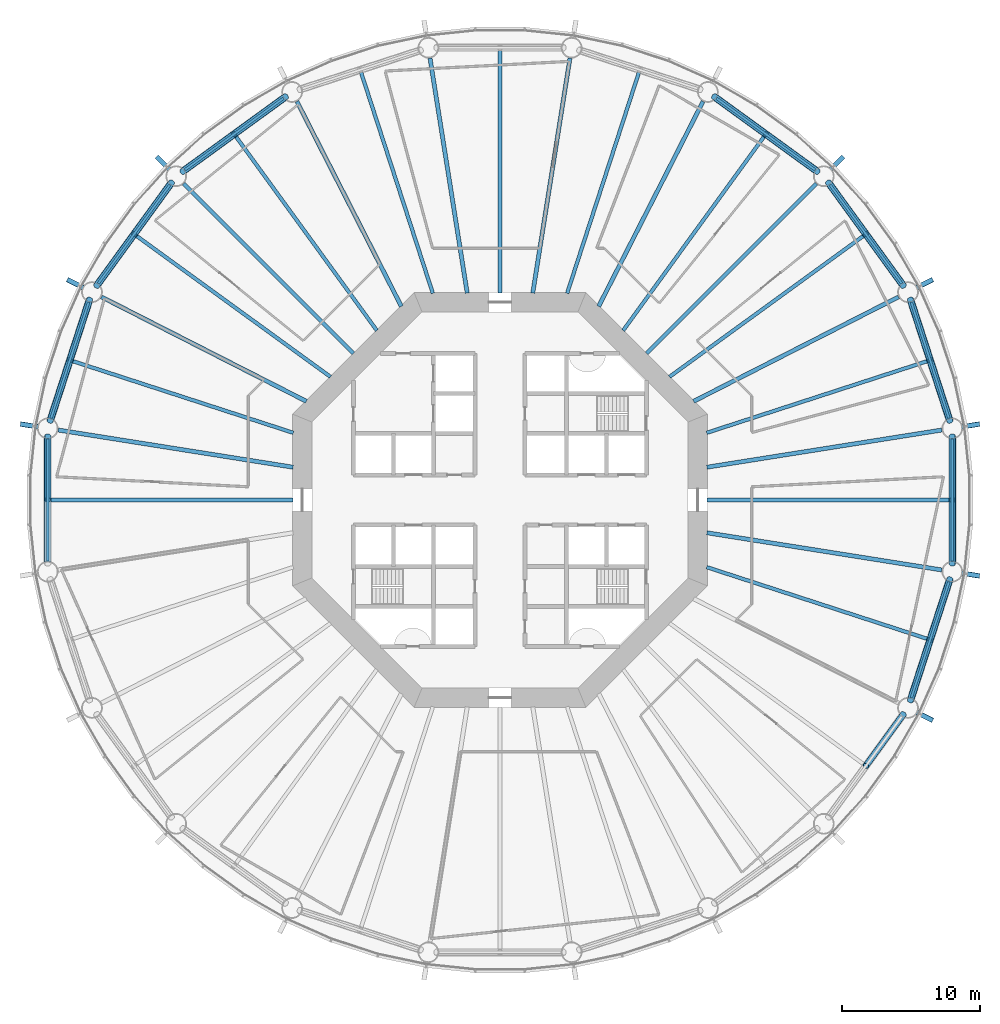
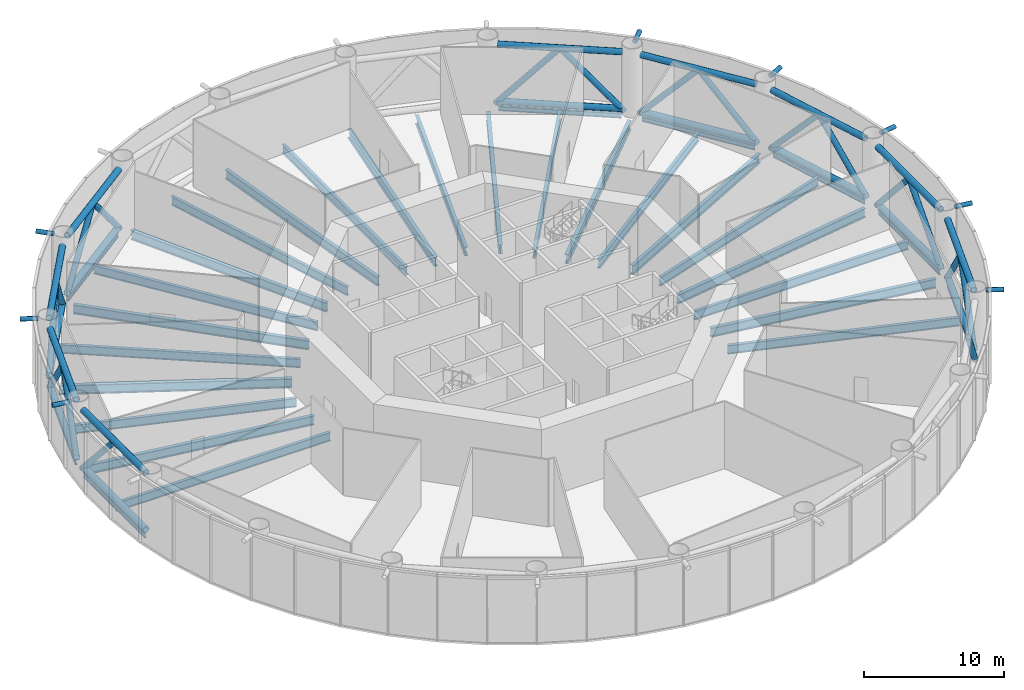
# One storey, part 2 of 14: 44 members, 32 beams.
"""IFC4 building model written with IfcOpenShell, lengths in metres."""

from ifc_helpers import new_model, si_unit, direction, frame, origin, origin_2d, place, context, subcontext, project, spatial, circle, hollow_circle, i_section, extrude, material, material_profile, profile_set, type_object, element, save


model = new_model("IFC4")

# Units and contexts
model_context = context("Model", 3, precision=1e-05, world=origin(), true_north=direction((0.0, 1.0)))
body_context = subcontext(model_context, "Body", "Model", "MODEL_VIEW")
ifc_project = project(units=[si_unit("LENGTHUNIT", "METRE"), si_unit("AREAUNIT", "SQUARE_METRE"), si_unit("VOLUMEUNIT", "CUBIC_METRE"), si_unit("PLANEANGLEUNIT", "RADIAN"), si_unit("MASSUNIT", "GRAM", prefix="KILO")], contexts=[model_context])

# Site, building, storey
site_placement = place(None, origin())
site = spatial("IfcSite", under=ifc_project, at=site_placement, CompositionType="ELEMENT")
building_placement = place(site_placement, origin())
building = spatial("IfcBuilding", under=site, at=building_placement, Name="Entoto Ring Tower", CompositionType="ELEMENT")
storey_placement = place(building_placement, frame((0.0, 0.0, 12.0)))
storey = spatial("IfcBuildingStorey", under=building, at=storey_placement, Name="L01", CompositionType="ELEMENT", Elevation=12.0)

# Members
ifc_material_1 = material(Name="Steel S355", Category="steel")
ifc_material_profile_1 = material_profile(ifc_material_1, hollow_circle(Radius=0.177734375, WallThickness=0.01611328125, at=origin_2d()), Name="CHS 355.6 x 16")
ifc_material_2 = material(Name="Concrete C60/75", Category="concrete")
ifc_material_profile_2 = material_profile(ifc_material_2, circle(Radius=0.161865234375, at=origin_2d()), Name="Concrete C60/75 infill")
ifc_profile_set_1 = profile_set([ifc_material_profile_1, ifc_material_profile_2], Name="Steel S355")
member_type_1 = type_object("IfcMemberType", Name="Diagrid node strut 355.6 x 16", PredefinedType="STRUT", material=ifc_profile_set_1)
member_1_placement = place(storey_placement, frame((120.12353515625, 95.3486328125, 5.672119140625), z_axis=(0.890999105397, 0.454005059644, 0.0), x_axis=(-0.454005059644, 0.890999105397, 0.0)))
element("IfcMember", 1, at=member_1_placement, inside=storey, type_object=member_type_1, Name="DS1 strut ring 1 01", PredefinedType="STRUT", context=body_context, shape_type="SweptSolid", body=[
    extrude(hollow_circle(Radius=0.177734375, WallThickness=0.01611328125, at=origin_2d()), origin(), (0.0, 0.0, 1.0), 1.291748046875),
])
for number, where, z_axis, x_axis, name in (
    (2, (113.90625, 103.90625, 5.672119140625), (0.707106781187, 0.707106781187, 0.0), (-0.707106781187, 0.707106781187, 0.0), "DS1 strut ring 1 02"),
    (3, (66.09375, 103.90625, 5.672119140625), (-0.707106781187, 0.707106781187, 0.0), (-0.707106781187, -0.707106781187, 0.0), "DS1 strut ring 1 07"),
):
    element("IfcMember", number, at=place(storey_placement, frame(where, z_axis=z_axis, x_axis=x_axis)), inside=storey, type_object=member_type_1, Name=name, PredefinedType="STRUT", context=body_context, shape_type="SweptSolid", body=[
        extrude(hollow_circle(Radius=0.177734375, WallThickness=0.01611328125, at=origin_2d()), origin(), (0.0, 0.0, 1.0), 1.291259765625),
    ])
member_2_placement = place(storey_placement, frame((59.87646484375, 95.3486328125, 5.672119140625), z_axis=(-0.890999105397, 0.454005059644, 0.0), x_axis=(-0.454005059644, -0.890999105397, 0.0)))
element("IfcMember", 4, at=member_2_placement, inside=storey, type_object=member_type_1, Name="DS1 strut ring 1 08", PredefinedType="STRUT", context=body_context, shape_type="SweptSolid", body=[
    extrude(hollow_circle(Radius=0.177734375, WallThickness=0.01611328125, at=origin_2d()), origin(), (0.0, 0.0, 1.0), 1.291748046875),
])
member_3_placement = place(storey_placement, frame((56.607666015625, 85.288818359375, 5.672119140625), z_axis=(-0.98767544841, 0.156515841394, 0.0), x_axis=(-0.156515841394, -0.98767544841, 0.0)))
element("IfcMember", 5, at=member_3_placement, inside=storey, type_object=member_type_1, Name="DS1 strut ring 1 09", PredefinedType="STRUT", context=body_context, shape_type="SweptSolid", body=[
    extrude(hollow_circle(Radius=0.177734375, WallThickness=0.01611328125, at=origin_2d()), origin(), (0.0, 0.0, 1.0), 1.29150390625),
])
member_4_placement = place(storey_placement, frame((120.12353515625, 64.6513671875, 5.672119140625), z_axis=(0.890999105397, -0.454005059644, 0.0), x_axis=(0.454005059644, 0.890999105397, 0.0)))
element("IfcMember", 6, at=member_4_placement, inside=storey, type_object=member_type_1, Name="DS1 strut ring 1 18", PredefinedType="STRUT", context=body_context, shape_type="SweptSolid", body=[
    extrude(hollow_circle(Radius=0.177734375, WallThickness=0.01611328125, at=origin_2d()), origin(), (0.0, 0.0, 1.0), 1.291748046875),
])
for number, where, z_axis, x_axis, name in (
    (7, (123.392333984375, 74.711181640625, 5.672119140625), (0.98767544841, -0.156515841394, 0.0), (0.156515841394, 0.98767544841, 0.0), "DS1 strut ring 1 19"),
    (8, (123.392333984375, 85.288818359375, 5.672119140625), (0.98767544841, 0.156515841394, 0.0), (-0.156515841394, 0.98767544841, 0.0), "DS1 strut ring 1 20"),
):
    element("IfcMember", number, at=place(storey_placement, frame(where, z_axis=z_axis, x_axis=x_axis)), inside=storey, type_object=member_type_1, Name=name, PredefinedType="STRUT", context=body_context, shape_type="SweptSolid", body=[
        extrude(hollow_circle(Radius=0.177734375, WallThickness=0.01611328125, at=origin_2d()), origin(), (0.0, 0.0, 1.0), 1.29150390625),
    ])

# Beams
ifc_material_3 = material(Name="Steel S355", Category="steel")
ifc_material_profile_3 = material_profile(ifc_material_3, i_section(OverallWidth=0.179931640625, OverallDepth=0.39990234375, WebThickness=0.008544921875, FlangeThickness=0.013427734375, FilletRadius=0.02099609375, at=origin_2d()), Name="IPE 400")
ifc_profile_set_2 = profile_set([ifc_material_profile_3], Name="Steel S355")
beam_type_1 = type_object("IfcBeamType", Name="Edge beam IPE 400", PredefinedType="SPANDREL", material=ifc_profile_set_2)
beam_1_placement = place(storey_placement, frame((122.453125, 85.914794921875, -0.35009765625), z_axis=(-0.309024639878, 0.951054032087, 0.0), x_axis=(-0.951054032087, -0.309024639878, 0.0)))
element("IfcBeam", 9, at=beam_1_placement, inside=storey, type_object=beam_type_1, Name="Edge beam L01 01", PredefinedType="SPANDREL", context=body_context, shape_type="SweptSolid", body=[
    extrude(i_section(OverallWidth=0.179931640625, OverallDepth=0.39990234375, WebThickness=0.008544921875, FlangeThickness=0.013427734375, FilletRadius=0.02099609375, at=origin_2d()), origin(), (0.0, 0.0, 1.0), 8.806640625),
])
for number, where, z_axis, x_axis, name in (
    (10, (119.036865234375, 95.65380859375, -0.35009765625), (-0.587785904565, 0.809016520471, 0.0), (-0.809016520471, -0.587785904565, 0.0), "Edge beam L01 02"),
    (11, (112.7783203125, 103.860595703125, -0.35009765625), (-0.809016520471, 0.587785904565, 0.0), (-0.587785904565, -0.809016520471, 0.0), "Edge beam L01 03"),
    (12, (74.34619140625, 109.036865234375, -0.35009765625), (-0.809016520471, -0.587785904565, 0.0), (0.587785904565, -0.809016520471, 0.0), "Edge beam L01 07"),
    (13, (66.139404296875, 102.7783203125, -0.35009765625), (-0.587785904565, -0.809016520471, 0.0), (0.809016520471, -0.587785904565, 0.0), "Edge beam L01 08"),
):
    element("IfcBeam", number, at=place(storey_placement, frame(where, z_axis=z_axis, x_axis=x_axis)), inside=storey, type_object=beam_type_1, Name=name, PredefinedType="SPANDREL", context=body_context, shape_type="SweptSolid", body=[
        extrude(i_section(OverallWidth=0.179931640625, OverallDepth=0.39990234375, WebThickness=0.008544921875, FlangeThickness=0.013427734375, FilletRadius=0.02099609375, at=origin_2d()), origin(), (0.0, 0.0, 1.0), 8.806396484375),
    ])
beam_2_placement = place(storey_placement, frame((60.268310546875, 94.290283203125, -0.35009765625), z_axis=(-0.309024639878, -0.951054032087, 0.0), x_axis=(0.951054032087, -0.309024639878, 0.0)))
element("IfcBeam", 14, at=beam_2_placement, inside=storey, type_object=beam_type_1, Name="Edge beam L01 09", PredefinedType="SPANDREL", context=body_context, shape_type="SweptSolid", body=[
    extrude(i_section(OverallWidth=0.179931640625, OverallDepth=0.39990234375, WebThickness=0.008544921875, FlangeThickness=0.013427734375, FilletRadius=0.02099609375, at=origin_2d()), origin(), (0.0, 0.0, 1.0), 8.806640625),
])
beam_3_placement = place(storey_placement, frame((57.3076171875, 84.403076171875, -0.35009765625), z_axis=(0.0, -1.0, 0.0), x_axis=(1.0, 0.0, 0.0)))
element("IfcBeam", 15, at=beam_3_placement, inside=storey, type_object=beam_type_1, Name="Edge beam L01 10", PredefinedType="SPANDREL", context=body_context, shape_type="SweptSolid", body=[
    extrude(i_section(OverallWidth=0.179931640625, OverallDepth=0.39990234375, WebThickness=0.008544921875, FlangeThickness=0.013427734375, FilletRadius=0.02099609375, at=origin_2d()), origin(), (0.0, 0.0, 1.0), 8.80615234375),
])
beam_4_placement = place(storey_placement, frame((119.731689453125, 65.709716796875, -0.35009765625), z_axis=(0.309024639878, 0.951054032087, 0.0), x_axis=(-0.951054032087, 0.309024639878, 0.0)))
element("IfcBeam", 16, at=beam_4_placement, inside=storey, type_object=beam_type_1, Name="Edge beam L01 19", PredefinedType="SPANDREL", context=body_context, shape_type="SweptSolid", body=[
    extrude(i_section(OverallWidth=0.179931640625, OverallDepth=0.39990234375, WebThickness=0.008544921875, FlangeThickness=0.013427734375, FilletRadius=0.02099609375, at=origin_2d()), origin(), (0.0, 0.0, 1.0), 8.806640625),
])
beam_5_placement = place(storey_placement, frame((122.6923828125, 75.596923828125, -0.35009765625), z_axis=(0.0, 1.0, 0.0), x_axis=(-1.0, 0.0, 0.0)))
element("IfcBeam", 17, at=beam_5_placement, inside=storey, type_object=beam_type_1, Name="Edge beam L01 20", PredefinedType="SPANDREL", context=body_context, shape_type="SweptSolid", body=[
    extrude(i_section(OverallWidth=0.179931640625, OverallDepth=0.39990234375, WebThickness=0.008544921875, FlangeThickness=0.013427734375, FilletRadius=0.02099609375, at=origin_2d()), origin(), (0.0, 0.0, 1.0), 8.80615234375),
])
ifc_material_4 = material(Name="Steel S355", Category="steel")
ifc_material_profile_4 = material_profile(ifc_material_4, i_section(OverallWidth=0.300048828125, OverallDepth=0.800048828125, WebThickness=0.017578125, FlangeThickness=0.032958984375, FilletRadius=0.030029296875, at=origin_2d()), Name="HE 800 B")
ifc_profile_set_3 = profile_set([ifc_material_profile_4], Name="Steel S355")
beam_type_2 = type_object("IfcBeamType", Name="Primary floor beam HE 800 B", PredefinedType="BEAM", material=ifc_profile_set_3)
beam_6_placement = place(storey_placement, frame((104.956787109375, 82.368896484375, -0.550048828125), z_axis=(0.987689045065, 0.15643001713, 0.0), x_axis=(-0.15643001713, 0.987689045065, 0.0)))
element("IfcBeam", 18, at=beam_6_placement, inside=storey, type_object=beam_type_2, Name="Primary L01 R01", PredefinedType="BEAM", context=body_context, shape_type="SweptSolid", body=[
    extrude(i_section(OverallWidth=0.300048828125, OverallDepth=0.800048828125, WebThickness=0.017578125, FlangeThickness=0.032958984375, FilletRadius=0.030029296875, at=origin_2d()), origin(), (0.0, 0.0, 1.0), 17.191162109375),
])
beam_7_placement = place(storey_placement, frame((103.99169921875, 87.129150390625, -0.550048828125), z_axis=(0.891007454586, 0.453988673727, 0.0), x_axis=(-0.453988673727, 0.891007454586, 0.0)))
element("IfcBeam", 19, at=beam_7_placement, inside=storey, type_object=beam_type_2, Name="Primary L01 R02", PredefinedType="BEAM", context=body_context, shape_type="SweptSolid", body=[
    extrude(i_section(OverallWidth=0.300048828125, OverallDepth=0.800048828125, WebThickness=0.017578125, FlangeThickness=0.032958984375, FilletRadius=0.030029296875, at=origin_2d()), origin(), (0.0, 0.0, 1.0), 16.631103515625),
])
beam_8_placement = place(storey_placement, frame((100.592529296875, 90.592529296875, -0.550048828125), z_axis=(0.707106781187, 0.707106781187, 0.0), x_axis=(-0.707106781187, 0.707106781187, 0.0)))
element("IfcBeam", 20, at=beam_8_placement, inside=storey, type_object=beam_type_2, Name="Primary L01 R03", PredefinedType="BEAM", context=body_context, shape_type="SweptSolid", body=[
    extrude(i_section(OverallWidth=0.300048828125, OverallDepth=0.800048828125, WebThickness=0.017578125, FlangeThickness=0.032958984375, FilletRadius=0.030029296875, at=origin_2d()), origin(), (0.0, 0.0, 1.0), 17.354248046875),
])
beam_9_placement = place(storey_placement, frame((97.129150390625, 93.99169921875, -0.550048828125), z_axis=(0.453988673727, 0.891007454586, 0.0), x_axis=(-0.891007454586, 0.453988673727, 0.0)))
element("IfcBeam", 21, at=beam_9_placement, inside=storey, type_object=beam_type_2, Name="Primary L01 R04", PredefinedType="BEAM", context=body_context, shape_type="SweptSolid", body=[
    extrude(i_section(OverallWidth=0.300048828125, OverallDepth=0.800048828125, WebThickness=0.017578125, FlangeThickness=0.032958984375, FilletRadius=0.030029296875, at=origin_2d()), origin(), (0.0, 0.0, 1.0), 16.631103515625),
])
for number, where, z_axis, x_axis, name in (
    (22, (92.368896484375, 94.956787109375, -0.550048828125), (0.15643001713, 0.987689045065, 0.0), (-0.987689045065, 0.15643001713, 0.0), "Primary L01 R05"),
    (23, (87.631103515625, 94.956787109375, -0.550048828125), (-0.15643001713, 0.987689045065, 0.0), (-0.987689045065, -0.15643001713, 0.0), "Primary L01 R06"),
):
    element("IfcBeam", number, at=place(storey_placement, frame(where, z_axis=z_axis, x_axis=x_axis)), inside=storey, type_object=beam_type_2, Name=name, PredefinedType="BEAM", context=body_context, shape_type="SweptSolid", body=[
        extrude(i_section(OverallWidth=0.300048828125, OverallDepth=0.800048828125, WebThickness=0.017578125, FlangeThickness=0.032958984375, FilletRadius=0.030029296875, at=origin_2d()), origin(), (0.0, 0.0, 1.0), 17.191162109375),
    ])
beam_10_placement = place(storey_placement, frame((82.870849609375, 93.99169921875, -0.550048828125), z_axis=(-0.453988673727, 0.891007454586, 0.0), x_axis=(-0.891007454586, -0.453988673727, 0.0)))
element("IfcBeam", 24, at=beam_10_placement, inside=storey, type_object=beam_type_2, Name="Primary L01 R07", PredefinedType="BEAM", context=body_context, shape_type="SweptSolid", body=[
    extrude(i_section(OverallWidth=0.300048828125, OverallDepth=0.800048828125, WebThickness=0.017578125, FlangeThickness=0.032958984375, FilletRadius=0.030029296875, at=origin_2d()), origin(), (0.0, 0.0, 1.0), 16.631103515625),
])
beam_11_placement = place(storey_placement, frame((79.407470703125, 90.592529296875, -0.550048828125), z_axis=(-0.707106781187, 0.707106781187, 0.0), x_axis=(-0.707106781187, -0.707106781187, 0.0)))
element("IfcBeam", 25, at=beam_11_placement, inside=storey, type_object=beam_type_2, Name="Primary L01 R08", PredefinedType="BEAM", context=body_context, shape_type="SweptSolid", body=[
    extrude(i_section(OverallWidth=0.300048828125, OverallDepth=0.800048828125, WebThickness=0.017578125, FlangeThickness=0.032958984375, FilletRadius=0.030029296875, at=origin_2d()), origin(), (0.0, 0.0, 1.0), 17.354248046875),
])
beam_12_placement = place(storey_placement, frame((76.00830078125, 87.129150390625, -0.550048828125), z_axis=(-0.891007454586, 0.453988673727, 0.0), x_axis=(-0.453988673727, -0.891007454586, 0.0)))
element("IfcBeam", 26, at=beam_12_placement, inside=storey, type_object=beam_type_2, Name="Primary L01 R09", PredefinedType="BEAM", context=body_context, shape_type="SweptSolid", body=[
    extrude(i_section(OverallWidth=0.300048828125, OverallDepth=0.800048828125, WebThickness=0.017578125, FlangeThickness=0.032958984375, FilletRadius=0.030029296875, at=origin_2d()), origin(), (0.0, 0.0, 1.0), 16.631103515625),
])
for number, where, z_axis, x_axis, name in (
    (27, (75.043212890625, 82.368896484375, -0.550048828125), (-0.987689045065, 0.15643001713, 0.0), (-0.15643001713, -0.987689045065, 0.0), "Primary L01 R10"),
    (28, (104.956787109375, 77.631103515625, -0.550048828125), (0.987689045065, -0.15643001713, 0.0), (0.15643001713, 0.987689045065, 0.0), "Primary L01 R20"),
):
    element("IfcBeam", number, at=place(storey_placement, frame(where, z_axis=z_axis, x_axis=x_axis)), inside=storey, type_object=beam_type_2, Name=name, PredefinedType="BEAM", context=body_context, shape_type="SweptSolid", body=[
        extrude(i_section(OverallWidth=0.300048828125, OverallDepth=0.800048828125, WebThickness=0.017578125, FlangeThickness=0.032958984375, FilletRadius=0.030029296875, at=origin_2d()), origin(), (0.0, 0.0, 1.0), 17.191162109375),
    ])

# Members
ifc_material_5 = material(Name="Steel S355", Category="steel")
ifc_material_profile_5 = material_profile(ifc_material_5, hollow_circle(Radius=0.25390625, WallThickness=0.030029296875, at=origin_2d()), Name="CHS 508 x 30")
ifc_material_6 = material(Name="Concrete C60/75", Category="concrete")
ifc_material_profile_6 = material_profile(ifc_material_6, circle(Radius=0.22412109375, at=origin_2d()), Name="Concrete C60/75 infill")
ifc_profile_set_4 = profile_set([ifc_material_profile_5, ifc_material_profile_6], Name="Steel S355")
member_type_2 = type_object("IfcMemberType", Name="Ring truss chord 508 x 30", PredefinedType="CHORD", material=ifc_profile_set_4)
for number, where, z_axis, x_axis, name in (
    (29, (122.480712890625, 85.830078125, 0.25390625), (-0.309036918083, 0.951050042459, 0.0), (-0.951050042459, -0.309036918083, 0.0), "BT1 L01 bottom 01"),
    (30, (122.480712890625, 85.830078125, 5.196044921875), (-0.309036918083, 0.951050042459, 0.0), (-0.951050042459, -0.309036918083, 0.0), "BT1 L01 top 01"),
):
    element("IfcMember", number, at=place(storey_placement, frame(where, z_axis=z_axis, x_axis=x_axis)), inside=storey, type_object=member_type_2, Name=name, PredefinedType="CHORD", context=body_context, shape_type="SweptSolid", body=[
        extrude(hollow_circle(Radius=0.25390625, WallThickness=0.030029296875, at=origin_2d()), origin(), (0.0, 0.0, 1.0), 8.984619140625),
    ])
for number, where, z_axis, x_axis, name in (
    (31, (119.08935546875, 95.581787109375, 0.25390625), (-0.587796800063, 0.809008604303, 0.0), (-0.809008604303, -0.587796800063, 0.0), "BT1 L01 bottom 02"),
    (32, (119.08935546875, 95.581787109375, 5.196044921875), (-0.587796800063, 0.809008604303, 0.0), (-0.809008604303, -0.587796800063, 0.0), "BT1 L01 top 02"),
    (33, (112.8505859375, 103.80810546875, 0.25390625), (-0.809008604303, 0.587796800063, 0.0), (-0.587796800063, -0.809008604303, 0.0), "BT1 L01 bottom 03"),
    (34, (112.8505859375, 103.80810546875, 5.196044921875), (-0.809008604303, 0.587796800063, 0.0), (-0.587796800063, -0.809008604303, 0.0), "BT1 L01 top 03"),
    (35, (74.418212890625, 109.08935546875, 0.25390625), (-0.809008604303, -0.587796800063, 0.0), (0.587796800063, -0.809008604303, 0.0), "BT1 L01 bottom 07"),
    (36, (74.418212890625, 109.08935546875, 5.196044921875), (-0.809008604303, -0.587796800063, 0.0), (0.587796800063, -0.809008604303, 0.0), "BT1 L01 top 07"),
    (37, (66.19189453125, 102.8505859375, 0.25390625), (-0.587796800063, -0.809008604303, 0.0), (0.809008604303, -0.587796800063, 0.0), "BT1 L01 bottom 08"),
    (38, (66.19189453125, 102.8505859375, 5.196044921875), (-0.587796800063, -0.809008604303, 0.0), (0.809008604303, -0.587796800063, 0.0), "BT1 L01 top 08"),
):
    element("IfcMember", number, at=place(storey_placement, frame(where, z_axis=z_axis, x_axis=x_axis)), inside=storey, type_object=member_type_2, Name=name, PredefinedType="CHORD", context=body_context, shape_type="SweptSolid", body=[
        extrude(hollow_circle(Radius=0.25390625, WallThickness=0.030029296875, at=origin_2d()), origin(), (0.0, 0.0, 1.0), 8.98486328125),
    ])
for number, where, z_axis, x_axis, name in (
    (39, (60.2958984375, 94.375, 0.25390625), (-0.309036918083, -0.951050042459, 0.0), (0.951050042459, -0.309036918083, 0.0), "BT1 L01 bottom 09"),
    (40, (60.2958984375, 94.375, 5.196044921875), (-0.309036918083, -0.951050042459, 0.0), (0.951050042459, -0.309036918083, 0.0), "BT1 L01 top 09"),
):
    element("IfcMember", number, at=place(storey_placement, frame(where, z_axis=z_axis, x_axis=x_axis)), inside=storey, type_object=member_type_2, Name=name, PredefinedType="CHORD", context=body_context, shape_type="SweptSolid", body=[
        extrude(hollow_circle(Radius=0.25390625, WallThickness=0.030029296875, at=origin_2d()), origin(), (0.0, 0.0, 1.0), 8.984619140625),
    ])
for number, where, z_axis, x_axis, name in (
    (41, (57.3076171875, 84.492431640625, 0.25390625), (0.0, -1.0, 0.0), (1.0, 0.0, 0.0), "BT1 L01 bottom 10"),
    (42, (57.3076171875, 84.492431640625, 5.196044921875), (0.0, -1.0, 0.0), (1.0, 0.0, 0.0), "BT1 L01 top 10"),
):
    element("IfcMember", number, at=place(storey_placement, frame(where, z_axis=z_axis, x_axis=x_axis)), inside=storey, type_object=member_type_2, Name=name, PredefinedType="CHORD", context=body_context, shape_type="SweptSolid", body=[
        extrude(hollow_circle(Radius=0.25390625, WallThickness=0.030029296875, at=origin_2d()), origin(), (0.0, 0.0, 1.0), 8.98486328125),
    ])
for number, where, z_axis, x_axis, name in (
    (43, (119.7041015625, 65.625, 0.25390625), (0.309036918083, 0.951050042459, 0.0), (-0.951050042459, 0.309036918083, 0.0), "BT1 L01 bottom 19"),
    (44, (119.7041015625, 65.625, 5.196044921875), (0.309036918083, 0.951050042459, 0.0), (-0.951050042459, 0.309036918083, 0.0), "BT1 L01 top 19"),
):
    element("IfcMember", number, at=place(storey_placement, frame(where, z_axis=z_axis, x_axis=x_axis)), inside=storey, type_object=member_type_2, Name=name, PredefinedType="CHORD", context=body_context, shape_type="SweptSolid", body=[
        extrude(hollow_circle(Radius=0.25390625, WallThickness=0.030029296875, at=origin_2d()), origin(), (0.0, 0.0, 1.0), 8.984619140625),
    ])
for number, where, z_axis, x_axis, name in (
    (45, (122.6923828125, 75.507568359375, 0.25390625), (0.0, 1.0, 0.0), (-1.0, 0.0, 0.0), "BT1 L01 bottom 20"),
    (46, (122.6923828125, 75.507568359375, 5.196044921875), (0.0, 1.0, 0.0), (-1.0, 0.0, 0.0), "BT1 L01 top 20"),
):
    element("IfcMember", number, at=place(storey_placement, frame(where, z_axis=z_axis, x_axis=x_axis)), inside=storey, type_object=member_type_2, Name=name, PredefinedType="CHORD", context=body_context, shape_type="SweptSolid", body=[
        extrude(hollow_circle(Radius=0.25390625, WallThickness=0.030029296875, at=origin_2d()), origin(), (0.0, 0.0, 1.0), 8.98486328125),
    ])
ifc_material_7 = material(Name="Steel S355", Category="steel")
ifc_material_profile_7 = material_profile(ifc_material_7, hollow_circle(Radius=0.228515625, WallThickness=0.02001953125, at=origin_2d()), Name="CHS 457 x 20")
ifc_material_8 = material(Name="Concrete C60/75", Category="concrete")
ifc_material_profile_8 = material_profile(ifc_material_8, circle(Radius=0.20849609375, at=origin_2d()), Name="Concrete C60/75 infill")
ifc_profile_set_5 = profile_set([ifc_material_profile_7, ifc_material_profile_8], Name="Steel S355")
member_type_3 = type_object("IfcMemberType", Name="Ring truss diagonal 457 x 20", PredefinedType="BRACE", material=ifc_profile_set_5)
member_5_placement = place(storey_placement, frame((122.517333984375, 85.716552734375, 0.049072265625), z_axis=(-0.206206466125, 0.634658071601, 0.744773808266), x_axis=(-0.951059353245, -0.309008263005, 0.0)))
element("IfcMember", 47, at=member_5_placement, inside=storey, type_object=member_type_3, Name="BT2 L01 01 a", PredefinedType="BRACE", context=body_context, shape_type="SweptSolid", body=[
    extrude(hollow_circle(Radius=0.228515625, WallThickness=0.02001953125, at=origin_2d()), origin(), (0.0, 0.0, 1.0), 6.910888671875),
])
for number, where, z_axis, x_axis, name in (
    (48, (121.09228515625, 90.1025390625, 5.196044921875), (-0.20621108948, 0.634636973002, -0.744790506837), (-0.95105429787, -0.309023821903, 0.0), "BT2 L01 01 b"),
    (49, (119.159423828125, 95.4853515625, 0.049072265625), (-0.392247363415, 0.539847965446, 0.744785996174), (-0.808999280003, -0.587809633262, 0.0), "BT2 L01 02 a"),
    (50, (116.44873046875, 99.216064453125, 5.196044921875), (-0.392209989723, 0.539880477657, -0.744782111632), (-0.809042745321, -0.587749807522, 0.0), "BT2 L01 02 b"),
    (51, (112.947021484375, 103.73828125, 0.049072265625), (-0.539880477657, 0.392209989723, 0.744782111632), (-0.587749807522, -0.809042745321, 0.0), "BT2 L01 03 a"),
    (52, (109.216064453125, 106.44873046875, 5.196044921875), (-0.539847965446, 0.392247363415, -0.744785996174), (-0.587809633262, -0.808999280003, 0.0), "BT2 L01 03 b"),
    (53, (74.5146484375, 109.159423828125, 0.049072265625), (-0.539847965446, -0.392247363415, 0.744785996174), (0.587809633262, -0.808999280003, 0.0), "BT2 L01 07 a"),
    (54, (70.783935546875, 106.44873046875, 5.196044921875), (-0.539880477657, -0.392209989723, -0.744782111632), (0.587749807522, -0.809042745321, 0.0), "BT2 L01 07 b"),
    (55, (66.26171875, 102.947021484375, 0.049072265625), (-0.392209989723, -0.539880477657, 0.744782111632), (0.809042745321, -0.587749807522, 0.0), "BT2 L01 08 a"),
    (56, (63.55126953125, 99.216064453125, 5.196044921875), (-0.392247363415, -0.539847965446, -0.744785996174), (0.808999280003, -0.587809633262, 0.0), "BT2 L01 08 b"),
    (57, (60.332763671875, 94.48828125, 0.049072265625), (-0.20621108948, -0.634636973002, 0.744790506837), (0.95105429787, -0.309023821903, 0.0), "BT2 L01 09 a"),
):
    element("IfcMember", number, at=place(storey_placement, frame(where, z_axis=z_axis, x_axis=x_axis)), inside=storey, type_object=member_type_3, Name=name, PredefinedType="BRACE", context=body_context, shape_type="SweptSolid", body=[
        extrude(hollow_circle(Radius=0.228515625, WallThickness=0.02001953125, at=origin_2d()), origin(), (0.0, 0.0, 1.0), 6.91064453125),
    ])
member_6_placement = place(storey_placement, frame((58.90771484375, 90.1025390625, 5.196044921875), z_axis=(-0.206206466125, -0.634658071601, -0.744773808266), x_axis=(0.951059353245, -0.309008263005, 0.0)))
element("IfcMember", 58, at=member_6_placement, inside=storey, type_object=member_type_3, Name="BT2 L01 09 b", PredefinedType="BRACE", context=body_context, shape_type="SweptSolid", body=[
    extrude(hollow_circle(Radius=0.228515625, WallThickness=0.02001953125, at=origin_2d()), origin(), (0.0, 0.0, 1.0), 6.910888671875),
])
for number, where, z_axis, x_axis, name in (
    (59, (57.3076171875, 84.611572265625, 0.049072265625), (0.0, -0.667307933616, 0.744781928979), (1.0, 0.0, 0.0), "BT2 L01 10 a"),
    (60, (116.44873046875, 60.783935546875, 5.196044921875), (0.392247363415, 0.539847965446, -0.744785996174), (-0.808999280003, 0.587809633262, 0.0), "BT2 L01 18 b"),
    (61, (119.667236328125, 65.51171875, 0.049072265625), (0.20621108948, 0.634636973002, 0.744790506837), (-0.95105429787, 0.309023821903, 0.0), "BT2 L01 19 a"),
):
    element("IfcMember", number, at=place(storey_placement, frame(where, z_axis=z_axis, x_axis=x_axis)), inside=storey, type_object=member_type_3, Name=name, PredefinedType="BRACE", context=body_context, shape_type="SweptSolid", body=[
        extrude(hollow_circle(Radius=0.228515625, WallThickness=0.02001953125, at=origin_2d()), origin(), (0.0, 0.0, 1.0), 6.91064453125),
    ])
member_7_placement = place(storey_placement, frame((121.09228515625, 69.8974609375, 5.196044921875), z_axis=(0.206206466125, 0.634658071601, -0.744773808266), x_axis=(-0.951059353245, 0.309008263005, 0.0)))
element("IfcMember", 62, at=member_7_placement, inside=storey, type_object=member_type_3, Name="BT2 L01 19 b", PredefinedType="BRACE", context=body_context, shape_type="SweptSolid", body=[
    extrude(hollow_circle(Radius=0.228515625, WallThickness=0.02001953125, at=origin_2d()), origin(), (0.0, 0.0, 1.0), 6.910888671875),
])
for number, where, z_axis, x_axis, name in (
    (63, (122.6923828125, 75.388427734375, 0.049072265625), (0.0, 0.667307933616, 0.744781928979), (-1.0, 0.0, 0.0), "BT2 L01 20 a"),
    (64, (122.6923828125, 80.0, 5.196044921875), (0.0, 0.667307933616, -0.744781928979), (-1.0, 0.0, 0.0), "BT2 L01 20 b"),
):
    element("IfcMember", number, at=place(storey_placement, frame(where, z_axis=z_axis, x_axis=x_axis)), inside=storey, type_object=member_type_3, Name=name, PredefinedType="BRACE", context=body_context, shape_type="SweptSolid", body=[
        extrude(hollow_circle(Radius=0.228515625, WallThickness=0.02001953125, at=origin_2d()), origin(), (0.0, 0.0, 1.0), 6.91064453125),
    ])

# Beams
ifc_material_9 = material(Name="Steel S355", Category="steel")
ifc_material_profile_9 = material_profile(ifc_material_9, i_section(OverallWidth=0.262939453125, OverallDepth=0.7529296875, WebThickness=0.011474609375, FlangeThickness=0.01708984375, FilletRadius=0.01708984375, at=origin_2d()), Name="IPE 750 x 137")
ifc_profile_set_6 = profile_set([ifc_material_profile_9], Name="Steel S355")
beam_type_3 = type_object("IfcBeamType", Name="Secondary floor beam IPE 750 x 137", PredefinedType="JOIST", material=ifc_profile_set_6)
beam_13_placement = place(storey_placement, frame((104.9404296875, 84.8544921875, -0.526611328125), z_axis=(0.951057855768, 0.30901287187, 0.0), x_axis=(-0.30901287187, 0.951057855768, 0.0)))
element("IfcBeam", 65, at=beam_13_placement, inside=storey, type_object=beam_type_3, Name="Secondary beam L01 01", PredefinedType="JOIST", context=body_context, shape_type="SweptSolid", body=[
    extrude(i_section(OverallWidth=0.262939453125, OverallDepth=0.7529296875, WebThickness=0.011474609375, FlangeThickness=0.01708984375, FilletRadius=0.01708984375, at=origin_2d()), origin(), (0.0, 0.0, 1.0), 16.893310546875),
])
for number, where, z_axis, x_axis, name in (
    (66, (102.25341796875, 88.902587890625, -0.526611328125), (0.809014194973, 0.58778910532, 0.0), (-0.58778910532, 0.809014194973, 0.0), "Secondary beam L01 02"),
    (67, (98.902587890625, 92.25341796875, -0.526611328125), (0.58778910532, 0.809014194973, 0.0), (-0.809014194973, 0.58778910532, 0.0), "Secondary beam L01 03"),
):
    element("IfcBeam", number, at=place(storey_placement, frame(where, z_axis=z_axis, x_axis=x_axis)), inside=storey, type_object=beam_type_3, Name=name, PredefinedType="JOIST", context=body_context, shape_type="SweptSolid", body=[
        extrude(i_section(OverallWidth=0.262939453125, OverallDepth=0.7529296875, WebThickness=0.011474609375, FlangeThickness=0.01708984375, FilletRadius=0.01708984375, at=origin_2d()), origin(), (0.0, 0.0, 1.0), 17.45654296875),
    ])
beam_14_placement = place(storey_placement, frame((94.8544921875, 94.9404296875, -0.526611328125), z_axis=(0.30901287187, 0.951057855768, 0.0), x_axis=(-0.951057855768, 0.30901287187, 0.0)))
element("IfcBeam", 68, at=beam_14_placement, inside=storey, type_object=beam_type_3, Name="Secondary beam L01 04", PredefinedType="JOIST", context=body_context, shape_type="SweptSolid", body=[
    extrude(i_section(OverallWidth=0.262939453125, OverallDepth=0.7529296875, WebThickness=0.011474609375, FlangeThickness=0.01708984375, FilletRadius=0.01708984375, at=origin_2d()), origin(), (0.0, 0.0, 1.0), 16.893310546875),
])
beam_15_placement = place(storey_placement, frame((90.0, 94.97998046875, -0.526611328125), z_axis=(0.0, 1.0, 0.0), x_axis=(-1.0, 0.0, 0.0)))
element("IfcBeam", 69, at=beam_15_placement, inside=storey, type_object=beam_type_3, Name="Secondary beam L01 05", PredefinedType="JOIST", context=body_context, shape_type="SweptSolid", body=[
    extrude(i_section(OverallWidth=0.262939453125, OverallDepth=0.7529296875, WebThickness=0.011474609375, FlangeThickness=0.01708984375, FilletRadius=0.01708984375, at=origin_2d()), origin(), (0.0, 0.0, 1.0), 17.62255859375),
])
beam_16_placement = place(storey_placement, frame((85.1455078125, 94.9404296875, -0.526611328125), z_axis=(-0.30901287187, 0.951057855768, 0.0), x_axis=(-0.951057855768, -0.30901287187, 0.0)))
element("IfcBeam", 70, at=beam_16_placement, inside=storey, type_object=beam_type_3, Name="Secondary beam L01 06", PredefinedType="JOIST", context=body_context, shape_type="SweptSolid", body=[
    extrude(i_section(OverallWidth=0.262939453125, OverallDepth=0.7529296875, WebThickness=0.011474609375, FlangeThickness=0.01708984375, FilletRadius=0.01708984375, at=origin_2d()), origin(), (0.0, 0.0, 1.0), 16.893310546875),
])
for number, where, z_axis, x_axis, name in (
    (71, (81.097412109375, 92.25341796875, -0.526611328125), (-0.58778910532, 0.809014194973, 0.0), (-0.809014194973, -0.58778910532, 0.0), "Secondary beam L01 07"),
    (72, (77.74658203125, 88.902587890625, -0.526611328125), (-0.809014194973, 0.58778910532, 0.0), (-0.58778910532, -0.809014194973, 0.0), "Secondary beam L01 08"),
):
    element("IfcBeam", number, at=place(storey_placement, frame(where, z_axis=z_axis, x_axis=x_axis)), inside=storey, type_object=beam_type_3, Name=name, PredefinedType="JOIST", context=body_context, shape_type="SweptSolid", body=[
        extrude(i_section(OverallWidth=0.262939453125, OverallDepth=0.7529296875, WebThickness=0.011474609375, FlangeThickness=0.01708984375, FilletRadius=0.01708984375, at=origin_2d()), origin(), (0.0, 0.0, 1.0), 17.45654296875),
    ])
beam_17_placement = place(storey_placement, frame((75.0595703125, 84.8544921875, -0.526611328125), z_axis=(-0.951057855768, 0.30901287187, 0.0), x_axis=(-0.30901287187, -0.951057855768, 0.0)))
element("IfcBeam", 73, at=beam_17_placement, inside=storey, type_object=beam_type_3, Name="Secondary beam L01 09", PredefinedType="JOIST", context=body_context, shape_type="SweptSolid", body=[
    extrude(i_section(OverallWidth=0.262939453125, OverallDepth=0.7529296875, WebThickness=0.011474609375, FlangeThickness=0.01708984375, FilletRadius=0.01708984375, at=origin_2d()), origin(), (0.0, 0.0, 1.0), 16.893310546875),
])
beam_18_placement = place(storey_placement, frame((75.02001953125, 80.0, -0.526611328125), z_axis=(-1.0, 0.0, 0.0), x_axis=(0.0, -1.0, 0.0)))
element("IfcBeam", 74, at=beam_18_placement, inside=storey, type_object=beam_type_3, Name="Secondary beam L01 10", PredefinedType="JOIST", context=body_context, shape_type="SweptSolid", body=[
    extrude(i_section(OverallWidth=0.262939453125, OverallDepth=0.7529296875, WebThickness=0.011474609375, FlangeThickness=0.01708984375, FilletRadius=0.01708984375, at=origin_2d()), origin(), (0.0, 0.0, 1.0), 17.62255859375),
])
beam_19_placement = place(storey_placement, frame((104.9404296875, 75.1455078125, -0.526611328125), z_axis=(0.951057855768, -0.30901287187, 0.0), x_axis=(0.30901287187, 0.951057855768, 0.0)))
element("IfcBeam", 75, at=beam_19_placement, inside=storey, type_object=beam_type_3, Name="Secondary beam L01 19", PredefinedType="JOIST", context=body_context, shape_type="SweptSolid", body=[
    extrude(i_section(OverallWidth=0.262939453125, OverallDepth=0.7529296875, WebThickness=0.011474609375, FlangeThickness=0.01708984375, FilletRadius=0.01708984375, at=origin_2d()), origin(), (0.0, 0.0, 1.0), 16.893310546875),
])
beam_20_placement = place(storey_placement, frame((104.97998046875, 80.0, -0.526611328125), z_axis=(1.0, 0.0, 0.0), x_axis=(0.0, 1.0, 0.0)))
element("IfcBeam", 76, at=beam_20_placement, inside=storey, type_object=beam_type_3, Name="Secondary beam L01 20", PredefinedType="JOIST", context=body_context, shape_type="SweptSolid", body=[
    extrude(i_section(OverallWidth=0.262939453125, OverallDepth=0.7529296875, WebThickness=0.011474609375, FlangeThickness=0.01708984375, FilletRadius=0.01708984375, at=origin_2d()), origin(), (0.0, 0.0, 1.0), 17.62255859375),
])

save(model, "model.ifc")
